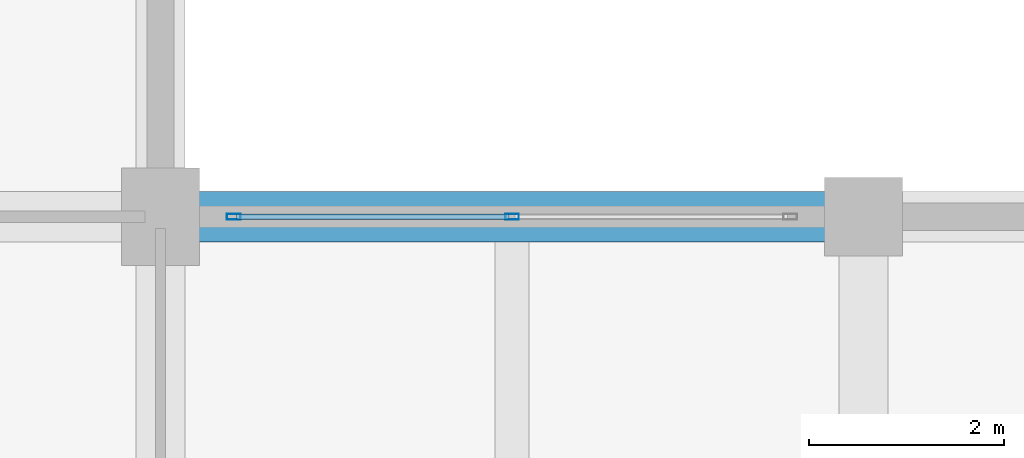
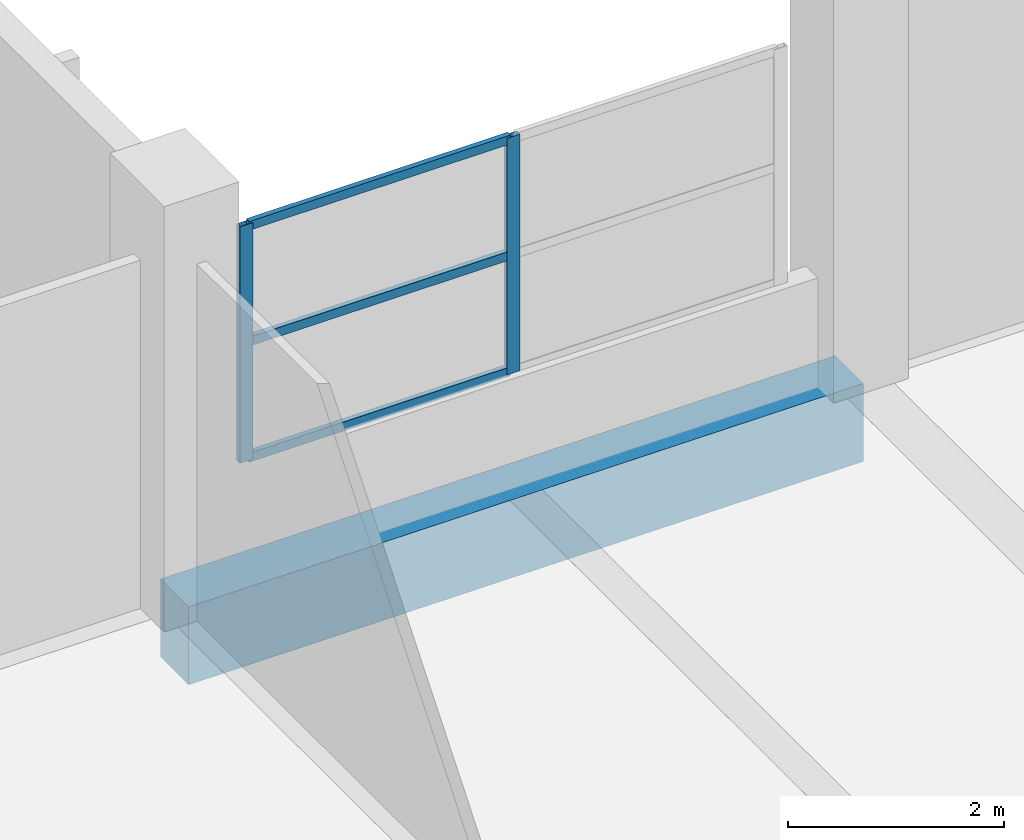
# One storey, part 12 of 140: 5 members, 1 beam, 1 element without a shape of its own.
"""IFC4 building model written with IfcOpenShell, lengths in metres."""

import ifcopenshell
import ifcopenshell.guid

model = None  # the IFC model being written
_history = None  # IfcOwnerHistory: only IFC2X3 demands one
_inside = {}  # id of a spatial element -> (the spatial element, [elements in it])
_under = {}  # id of a project, library or spatial element -> (it, [spatial elements below it])
_declared = {}  # id of a project -> (the project, [libraries it declares])
_typed = {}  # id of a type object -> (the type object, [elements of that type])
_made_of = {}  # id of a material, layer set ... -> (it, [elements and type objects made of it])


def new_model(schema):
    """Start an empty IFC model of exactly this schema.

    Asked for "IFC4X3", IfcOpenShell would pick the latest addendum, in which some entities
    have other attributes; the version numbers below select the first issue.
    IFC2X3 requires an IfcOwnerHistory on every rooted entity: one is made here for all.
    """
    global model, _history
    if schema == "IFC4X3":
        model = ifcopenshell.file(schema_version=(4, 3, 0, 0))
    else:
        model = ifcopenshell.file(schema=schema)
    _inside.clear()
    _under.clear()
    _declared.clear()
    _typed.clear()
    _made_of.clear()
    _history = None
    if model.schema == "IFC2X3":
        org = make("IfcOrganization", Name="unknown")
        user = make(
            "IfcPersonAndOrganization",
            ThePerson=make("IfcPerson", FamilyName="unknown"),
            TheOrganization=org,
        )
        app = make(
            "IfcApplication",
            ApplicationDeveloper=org,
            Version="unknown",
            ApplicationFullName="unknown",
            ApplicationIdentifier="unknown",
        )
        _history = make(
            "IfcOwnerHistory",
            OwningUser=user,
            OwningApplication=app,
            ChangeAction="ADDED",
            CreationDate=0,
        )
    return model


def make(cls, **values):
    """One entity of the class cls with the attributes given. An attribute that is None is left unset."""
    return model.create_entity(
        cls, **{name: value for name, value in values.items() if value is not None}
    )


def rooted(cls, **values):
    """An entity with a GlobalId (a new one), such as an element, a storey or a relation."""
    return make(cls, GlobalId=ifcopenshell.guid.new(), OwnerHistory=_history, **values)


def si_unit(unit_type, name, prefix=None):
    """IfcSIUnit, for example si_unit("LENGTHUNIT", "METRE", prefix="MILLI")."""
    return make("IfcSIUnit", UnitType=unit_type, Prefix=prefix, Name=name)


def assignment(units):
    """IfcUnitAssignment: the units of a project."""
    return None if units is None else make("IfcUnitAssignment", Units=units)


def point(xyz):
    """IfcCartesianPoint."""
    return None if xyz is None else make("IfcCartesianPoint", Coordinates=xyz)


def direction(xyz):
    """IfcDirection."""
    return None if xyz is None else make("IfcDirection", DirectionRatios=xyz)


def frame(location, z_axis=None, x_axis=None):
    """IfcAxis2Placement3D, a coordinate frame: its origin and axes. An axis left out is left unset."""
    return make(
        "IfcAxis2Placement3D",
        Location=point(location),
        Axis=direction(z_axis),
        RefDirection=direction(x_axis),
    )


def frame_2d(location, x_axis=None):
    """IfcAxis2Placement2D, a coordinate frame in the plane: its origin and x axis."""
    return make(
        "IfcAxis2Placement2D", Location=point(location), RefDirection=direction(x_axis)
    )


def origin():
    """The frame at (0, 0, 0) with its axes left unset."""
    return frame((0.0, 0.0, 0.0))


def origin_2d():
    """The frame at (0, 0) in the plane with its x axis left unset."""
    return frame_2d((0.0, 0.0))


def place(relative_to, where):
    """IfcLocalPlacement: puts the frame where relative to a parent placement (None: the world)."""
    return make(
        "IfcLocalPlacement", PlacementRelTo=relative_to, RelativePlacement=where
    )


def context(
    kind, dimensions, precision=None, world=None, true_north=None, identifier=None
):
    """IfcGeometricRepresentationContext, for example the 3D "Model" context."""
    return make(
        "IfcGeometricRepresentationContext",
        ContextIdentifier=identifier,
        ContextType=kind,
        CoordinateSpaceDimension=dimensions,
        Precision=precision,
        WorldCoordinateSystem=world,
        TrueNorth=true_north,
    )


def subcontext(parent, identifier, kind, view, scale=None):
    """IfcGeometricRepresentationSubContext, for example "Body" below "Model"."""
    return make(
        "IfcGeometricRepresentationSubContext",
        ContextIdentifier=identifier,
        ContextType=kind,
        ParentContext=parent,
        TargetScale=scale,
        TargetView=view,
    )


def project(units=None, contexts=None):
    """IfcProject with its units and contexts."""
    return rooted(
        "IfcProject",
        Name="project",
        RepresentationContexts=contexts,
        UnitsInContext=assignment(units),
    )


def spatial(cls, under=None, at=None, **own):
    """A site, building, storey or space (cls), placed at a placement, below another one or the project."""
    s = rooted(cls, ObjectPlacement=at, **own)
    if under is not None:
        _under.setdefault(under.id(), (under, []))[1].append(s)
    return s


def profile(cls, at=None, kind="AREA", **sizes):
    """A parametric profile (cls). Its sizes go by their IFC names, for example OverallWidth=200.0."""
    return make(cls, ProfileType=kind, Position=at, **sizes)


def rectangle(**sizes):
    """IfcRectangleProfileDef."""
    return profile("IfcRectangleProfileDef", **sizes)


def hollow_rectangle(**sizes):
    """IfcRectangleHollowProfileDef."""
    return profile("IfcRectangleHollowProfileDef", **sizes)


def extrude(swept, where, along, depth):
    """IfcExtrudedAreaSolid: the profile swept, set in the frame where, extruded along a direction by depth."""
    return make(
        "IfcExtrudedAreaSolid",
        SweptArea=swept,
        Position=where,
        ExtrudedDirection=direction(along),
        Depth=depth,
    )


def shape(context_of_items, identifier, shape_type, items):
    """IfcShapeRepresentation: the items that make up one representation, for example the "Body"."""
    return make(
        "IfcShapeRepresentation",
        ContextOfItems=context_of_items,
        RepresentationIdentifier=identifier,
        RepresentationType=shape_type,
        Items=items,
    )


def material(Name=None, Category=None):
    """IfcMaterial."""
    return make("IfcMaterial", Name=Name, Category=Category)


def layer(
    of_material, thickness, ventilated=None, Name=None, Category=None, Priority=None
):
    """IfcMaterialLayer: one layer of a wall or slab, of a material (None: an air gap)."""
    return make(
        "IfcMaterialLayer",
        Material=of_material,
        LayerThickness=thickness,
        IsVentilated=ventilated,
        Name=Name,
        Category=Category,
        Priority=Priority,
    )


def layer_set(layers, Name=None):
    """IfcMaterialLayerSet."""
    return make("IfcMaterialLayerSet", MaterialLayers=layers, LayerSetName=Name)


def material_profile(
    of_material, cross_section, Name=None, Category=None, Priority=None
):
    """IfcMaterialProfile: a cross section and its material."""
    return make(
        "IfcMaterialProfile",
        Name=Name,
        Material=of_material,
        Profile=cross_section,
        Priority=Priority,
        Category=Category,
    )


def profile_set(profiles, Name=None, composite=None):
    """IfcMaterialProfileSet."""
    return make(
        "IfcMaterialProfileSet",
        Name=Name,
        MaterialProfiles=profiles,
        CompositeProfile=composite,
    )


def made_of(thing, what):
    """Note that an element or type object is made of a material, layer set ...; save() writes the relation."""
    if what is not None:
        _made_of.setdefault(what.id(), (what, []))[1].append(thing)
    return thing


def type_object(cls, material=None, **own):
    """A type object (cls), such as IfcWallType, which elements share."""
    return made_of(rooted(cls, **own), material)


def element(
    cls,
    number,
    at=None,
    inside=None,
    cuts=None,
    type_object=None,
    material=None,
    context=None,
    identifier="Body",
    shape_type=None,
    held_by="IfcProductDefinitionShape",
    body=None,
    shapes=None,
    **own,
):
    """One element of the class cls, such as IfcWall. Its Tag is "e" and its number.

    at: its placement. inside: the storey or other place that contains it. cuts: it is an
    opening in that element (IfcRelVoidsElement). A single representation is given by context,
    identifier, shape_type and body (its items); several are given by shapes. held_by: the class
    of the entity that holds the representations. save() writes the other relations.
    """
    e = rooted(cls, Tag="e%d" % number, ObjectPlacement=at, **own)
    if body is not None:
        shapes = [shape(context, identifier, shape_type, body)]
    if shapes is not None:
        e.Representation = make(held_by, Representations=shapes)
    if inside is not None:
        _inside.setdefault(inside.id(), (inside, []))[1].append(e)
    if cuts is not None:
        rooted(
            "IfcRelVoidsElement", RelatingBuildingElement=cuts, RelatedOpeningElement=e
        )
    if type_object is not None:
        _typed.setdefault(type_object.id(), (type_object, []))[1].append(e)
    return made_of(e, material)


def aggregate(whole, parts):
    """IfcRelAggregates: a whole, such as a stair, and the parts it consists of."""
    return rooted("IfcRelAggregates", RelatingObject=whole, RelatedObjects=parts)


def save(model, path):
    """Write the relations noted so far, then the file.

    IfcRelAggregates (storeys below a building ...), IfcRelContainedInSpatialStructure (elements
    in a storey), IfcRelDefinesByType, IfcRelAssociatesMaterial and IfcRelDeclares: one each for
    every whole, place, type object, material and project.
    """
    for whole, parts in _under.values():
        aggregate(whole, parts)
    for where, things in _inside.values():
        rooted(
            "IfcRelContainedInSpatialStructure",
            RelatedElements=things,
            RelatingStructure=where,
        )
    for kind, things in _typed.values():
        rooted("IfcRelDefinesByType", RelatedObjects=things, RelatingType=kind)
    for what, things in _made_of.values():
        rooted("IfcRelAssociatesMaterial", RelatedObjects=things, RelatingMaterial=what)
    for by, libraries in _declared.values():
        rooted("IfcRelDeclares", RelatingContext=by, RelatedDefinitions=libraries)
    model.write(path)


model = new_model("IFC4")

# Units and contexts
model_context = context("Model", 3, precision=1e-05, world=origin(), true_north=direction((0.0, 1.0)))
body_context = subcontext(model_context, "Body", "Model", "MODEL_VIEW")
ifc_project = project(units=[si_unit("LENGTHUNIT", "METRE"), si_unit("AREAUNIT", "SQUARE_METRE"), si_unit("VOLUMEUNIT", "CUBIC_METRE"), si_unit("PLANEANGLEUNIT", "RADIAN"), si_unit("MASSUNIT", "GRAM", prefix="KILO")], contexts=[model_context])

# Site, building, storey
site_placement = place(None, origin())
site = spatial("IfcSite", under=ifc_project, at=site_placement, CompositionType="ELEMENT")
building_placement = place(site_placement, origin())
building = spatial("IfcBuilding", under=site, at=building_placement, Name="Seraya Terrace Polytechnic", CompositionType="ELEMENT")
storey_placement = place(building_placement, frame((0.0, 0.0, 9.60009765625)))
storey = spatial("IfcBuildingStorey", under=building, at=storey_placement, Name="L02", CompositionType="ELEMENT", Elevation=9.60009765625)

# Beam
ifc_material_1 = material(Name="Concrete C40/50", Category="concrete")
ifc_material_profile_1 = material_profile(ifc_material_1, rectangle(XDim=0.52001953125, YDim=0.8798828125, at=origin_2d()), Name="RC 520x880")
ifc_profile_set_1 = profile_set([ifc_material_profile_1], Name="Concrete C40/50")
beam_type = type_object("IfcBeamType", Name="BM-04", PredefinedType="BEAM", material=ifc_profile_set_1)
beam_placement = place(storey_placement, frame((43.199951171875, 28.800048828125, -0.440185546875), z_axis=(1.0, 0.0, 0.0), x_axis=(0.0, 1.0, 0.0)))
element("IfcBeam", 1, at=beam_placement, inside=storey, type_object=beam_type, Name="Beam BM-04 L02 X (43.2..50.4, 28.8)", PredefinedType="BEAM", context=body_context, shape_type="SweptSolid", body=[
    extrude(rectangle(XDim=0.52001953125, YDim=0.8798828125, at=origin_2d()), origin(), (0.0, 0.0, 1.0), 7.199951171875),
])

# Curtain wall, members
ifc_material_2 = material(Name="Anodised aluminium EN AW-6063 T6", Category="aluminium")
ifc_layer = layer(ifc_material_2, 0.179931640625, Name="CW-06")
ifc_layer_set = layer_set([ifc_layer], Name="Anodised aluminium EN AW-6063 T6")
curtain_wall_type = type_object("IfcCurtainWallType", Name="CW-06", PredefinedType="NOTDEFINED", material=ifc_layer_set)
curtain_wall_placement = place(storey_placement, origin())
curtain_wall = element("IfcCurtainWall", 2, at=curtain_wall_placement, inside=storey, type_object=curtain_wall_type, Name="Unitised curtain wall CW-06 (CW-L02-078)", PredefinedType="NOTDEFINED")
ifc_material_profile_2 = material_profile(ifc_material_2, hollow_rectangle(XDim=0.06005859375, YDim=0.139892578125, WallThickness=0.00341796875, at=origin_2d()), Name="RHS 140x60x3.5")
ifc_profile_set_2 = profile_set([ifc_material_profile_2], Name="Anodised aluminium EN AW-6063 T6")
member_type_1 = type_object("IfcMemberType", Name="CWM-03", PredefinedType="MULLION", material=ifc_profile_set_2)
member_1_placement = place(storey_placement, frame((43.949951171875, 28.800048828125, 1.239990234375), z_axis=(0.0, 0.0, 1.0), x_axis=(0.0, 1.0, 0.0)))
member_1 = element("IfcMember", 3, at=member_1_placement, type_object=member_type_1, Name="CW-06 mullion 1", PredefinedType="MULLION", context=body_context, shape_type="SweptSolid", body=[
    extrude(hollow_rectangle(XDim=0.06005859375, YDim=0.139892578125, WallThickness=0.00341796875, at=origin_2d()), origin(), (0.0, 0.0, 1.0), 2.669921875),
])
member_2_placement = place(storey_placement, frame((46.800048828125, 28.800048828125, 1.239990234375), z_axis=(0.0, 0.0, 1.0), x_axis=(0.0, 1.0, 0.0)))
member_2 = element("IfcMember", 4, at=member_2_placement, type_object=member_type_1, Name="CW-06 mullion 2", PredefinedType="MULLION", context=body_context, shape_type="SweptSolid", body=[
    extrude(hollow_rectangle(XDim=0.06005859375, YDim=0.139892578125, WallThickness=0.00341796875, at=origin_2d()), origin(), (0.0, 0.0, 1.0), 2.669921875),
])
ifc_material_profile_3 = material_profile(ifc_material_2, hollow_rectangle(XDim=0.054931640625, YDim=0.10009765625, WallThickness=0.0029296875, at=origin_2d()), Name="RHS 100x55x3.0")
ifc_profile_set_3 = profile_set([ifc_material_profile_3], Name="Anodised aluminium EN AW-6063 T6")
member_type_2 = type_object("IfcMemberType", Name="CWT-03", PredefinedType="USERDEFINED", material=ifc_profile_set_3)
member_3_placement = place(storey_placement, frame((43.97998046875, 28.800048828125, 1.267333984375), z_axis=(1.0, 0.0, 0.0), x_axis=(0.0, 1.0, 0.0)))
member_3 = element("IfcMember", 5, at=member_3_placement, type_object=member_type_2, Name="CW-06 transom 1.1", ObjectType="TRANSOM", PredefinedType="USERDEFINED", context=body_context, shape_type="SweptSolid", body=[
    extrude(hollow_rectangle(XDim=0.054931640625, YDim=0.10009765625, WallThickness=0.0029296875, at=origin_2d()), origin(), (0.0, 0.0, 1.0), 2.7900390625),
])
member_4_placement = place(storey_placement, frame((43.97998046875, 28.800048828125, 2.574951171875), z_axis=(1.0, 0.0, 0.0), x_axis=(0.0, 1.0, 0.0)))
member_4 = element("IfcMember", 6, at=member_4_placement, type_object=member_type_2, Name="CW-06 transom 1.2", ObjectType="TRANSOM", PredefinedType="USERDEFINED", context=body_context, shape_type="SweptSolid", body=[
    extrude(hollow_rectangle(XDim=0.054931640625, YDim=0.10009765625, WallThickness=0.0029296875, at=origin_2d()), origin(), (0.0, 0.0, 1.0), 2.7900390625),
])
member_5_placement = place(storey_placement, frame((43.97998046875, 28.800048828125, 3.88232421875), z_axis=(1.0, 0.0, 0.0), x_axis=(0.0, 1.0, 0.0)))
member_5 = element("IfcMember", 7, at=member_5_placement, type_object=member_type_2, Name="CW-06 transom 1.3", ObjectType="TRANSOM", PredefinedType="USERDEFINED", context=body_context, shape_type="SweptSolid", body=[
    extrude(hollow_rectangle(XDim=0.054931640625, YDim=0.10009765625, WallThickness=0.0029296875, at=origin_2d()), origin(), (0.0, 0.0, 1.0), 2.7900390625),
])
aggregate(curtain_wall, [member_1, member_2, member_3, member_4, member_5])

save(model, "model.ifc")
